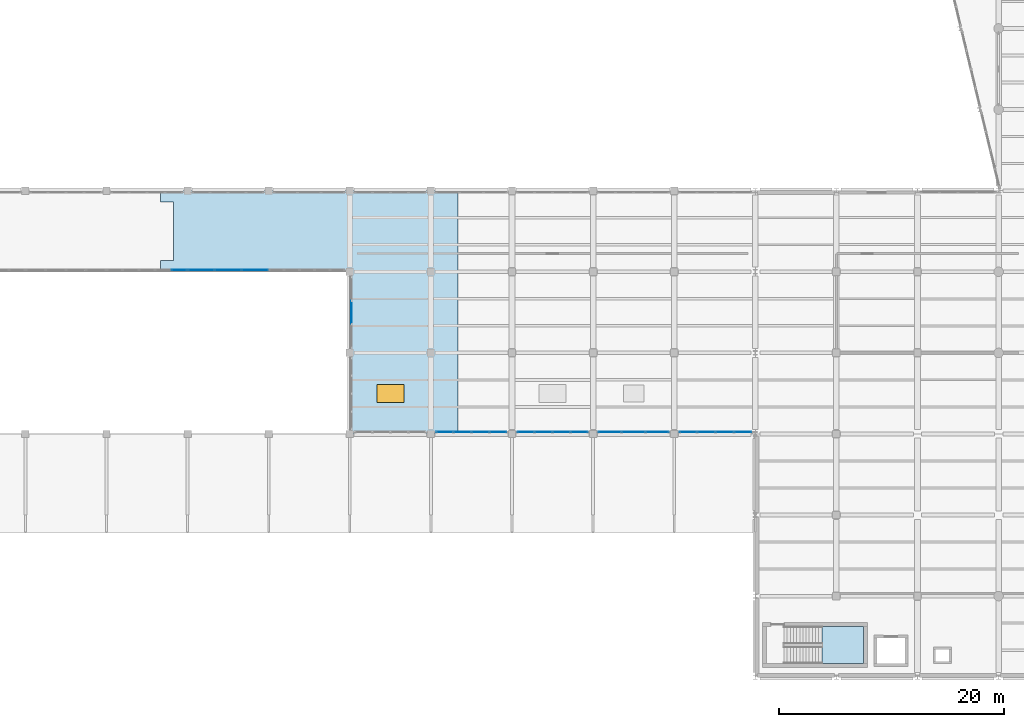
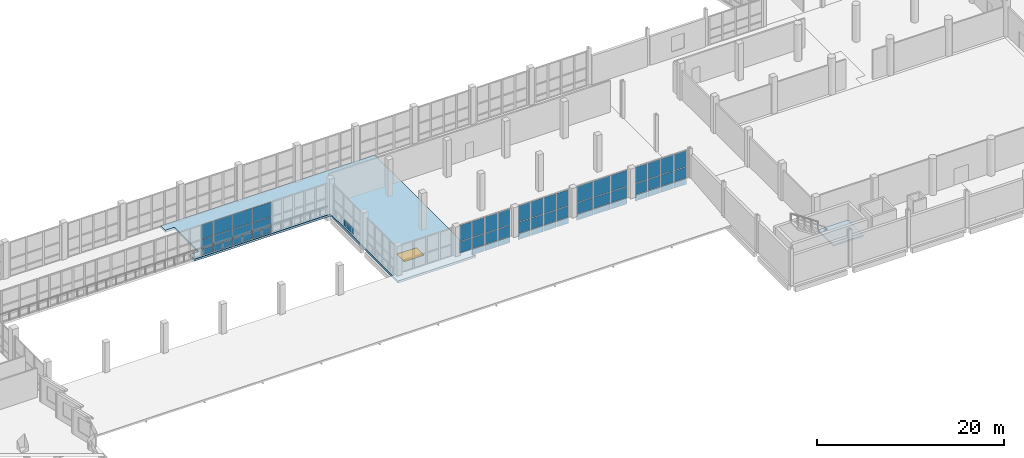
# One storey, part 80 of 127: 57 plates, 2 slabs, 1 window, 1 opening, 8 elements without a shape of their own.
"""IFC4 building model written with IfcOpenShell, lengths in metres."""

from ifc_helpers import new_model, si_unit, direction, frame, origin, origin_2d, place, context, subcontext, project, spatial, polyline, rectangle, outline, extrude, material, layer, layer_set, type_object, element, fill, aggregate, save


model = new_model("IFC4")

# Units and contexts
model_context = context("Model", 3, precision=1e-05, world=origin(), true_north=direction((0.0, 1.0)))
body_context = subcontext(model_context, "Body", "Model", "MODEL_VIEW")
ifc_project = project(units=[si_unit("LENGTHUNIT", "METRE"), si_unit("AREAUNIT", "SQUARE_METRE"), si_unit("VOLUMEUNIT", "CUBIC_METRE"), si_unit("PLANEANGLEUNIT", "RADIAN"), si_unit("MASSUNIT", "GRAM", prefix="KILO")], contexts=[model_context])

# Site, building, storey
site_placement = place(None, origin())
site = spatial("IfcSite", under=ifc_project, at=site_placement, CompositionType="ELEMENT")
building_placement = place(site_placement, origin())
building = spatial("IfcBuilding", under=site, at=building_placement, Name="Kalmorath City Hall", CompositionType="ELEMENT")
storey_placement = place(building_placement, frame((0.0, 0.0, 5.39990234375)))
storey = spatial("IfcBuildingStorey", under=building, at=storey_placement, Name="L01", CompositionType="ELEMENT", Elevation=5.39990234375)

# Slab, opening, window
ifc_material_1 = material(Name="Concrete C40/50", Category="concrete")
ifc_layer_1 = layer(ifc_material_1, 0.280029296875)
ifc_layer_set_1 = layer_set([ifc_layer_1], Name="Concrete C40/50")
slab_type_1 = type_object("IfcSlabType", Name="Concrete composite floor slab 280", PredefinedType="FLOOR", material=ifc_layer_set_1)
slab_1_placement = place(storey_placement, frame((0.0, 0.0, -0.27978515625)))
slab_1 = element("IfcSlab", 1, at=slab_1_placement, inside=storey, type_object=slab_type_1, Name="L01 Public Hall and Citizens Service Centre Pavilion slab FS2-2", PredefinedType="FLOOR", context=body_context, shape_type="SweptSolid", body=[
    extrude(outline(polyline([(88.800048828125, 21.60009765625), (79.199951171875, 21.60009765625), (79.199951171875, 36.0), (62.39990234375, 36.0), (62.39990234375, 37.0), (63.550048828125, 37.0), (63.550048828125, 42.199951171875), (62.39990234375, 42.199951171875), (62.39990234375, 43.199951171875), (88.800048828125, 43.199951171875), (88.800048828125, 21.60009765625)])), origin(), (0.0, 0.0, 1.0), 0.27978515625),
])
opening_placement = place(slab_1_placement, frame((82.800048828125, 25.199951171875, 0.0)))
opening = element("IfcOpeningElement", 2, at=opening_placement, cuts=slab_1, Name="Opening SK1", PredefinedType="OPENING", context=body_context, shape_type="SweptSolid", body=[
    extrude(rectangle(XDim=2.39990234375, YDim=1.60009765625, at=origin_2d()), origin(), (0.0, 0.0, 1.0), 0.27978515625),
])
ifc_material_2 = material(Name="Aluminium and laminated glass", Category="aluminium")
window_type = type_object("IfcWindowType", Name="Hurricane laminated roof skylight 2400x1600", PartitioningType="SINGLE_PANEL", PredefinedType="SKYLIGHT", material=ifc_material_2)
window_placement = place(opening_placement, frame((0.0, 0.0, 0.229736328125)))
window = element("IfcWindow", 3, at=window_placement, inside=storey, type_object=window_type, Name="L01 skylight SK1-1", OverallHeight=1.60009765625, OverallWidth=2.39990234375, PartitioningType="SINGLE_PANEL", PredefinedType="SKYLIGHT", context=body_context, shape_type="SweptSolid", body=[
    extrude(rectangle(XDim=2.39990234375, YDim=1.60009765625, at=origin_2d()), origin(), (0.0, 0.0, 1.0), 0.050048828125),
])
fill(opening, window)

# Stair, slab
ifc_material_3 = material(Name="Concrete C40/50", Category="concrete")
stair_type = type_object("IfcStairType", Name="Dogleg concrete exit stair 26R x 185mm W1550", PredefinedType="HALF_TURN_STAIR", material=ifc_material_3)
stair_placement = place(storey_placement, origin())
stair = element("IfcStair", 4, at=stair_placement, inside=storey, type_object=stair_type, Name="L01 Protected exit stair ST-5", PredefinedType="HALF_TURN_STAIR")
ifc_material_4 = material(Name="Concrete C40/50", Category="concrete")
ifc_layer_2 = layer(ifc_material_4, 0.199951171875)
ifc_layer_set_2 = layer_set([ifc_layer_2], Name="Concrete C40/50")
slab_type_2 = type_object("IfcSlabType", Name="Concrete stair half-landing slab 200", PredefinedType="LANDING", material=ifc_layer_set_2)
slab_2_placement = place(storey_placement, frame((0.0, 0.0, 2.2001953125)))
slab_2 = element("IfcSlab", 5, at=slab_2_placement, type_object=slab_type_2, Name="ST-5 landing 1", PredefinedType="LANDING", context=body_context, shape_type="SweptSolid", body=[
    extrude(outline(polyline([(121.110107421875, 1.199951171875), (124.800048828125, 1.199951171875), (124.800048828125, 4.5), (121.110107421875, 4.5), (121.110107421875, 1.199951171875)])), origin(), (0.0, 0.0, 1.0), 0.199951171875),
])
aggregate(stair, [slab_2])

# Curtain wall, plates
ifc_material_5 = material(Name="Anodised aluminium and laminated glass", Category="aluminium")
curtain_wall_type_1 = type_object("IfcCurtainWallType", Name="Unitised hurricane curtain wall 6508x4520 M1500", PredefinedType="NOTDEFINED", material=ifc_material_5)
curtain_wall_1_placement = place(storey_placement, origin())
curtain_wall_1 = element("IfcCurtainWall", 6, at=curtain_wall_1_placement, inside=storey, type_object=curtain_wall_type_1, Name="L01 curtain wall CW-65X45M15 #67", PredefinedType="NOTDEFINED")
ifc_material_6 = material(Name="Hurricane laminated low-E glass", Category="glass")
ifc_layer_3 = layer(ifc_material_6, 0.031982421875)
ifc_layer_set_3 = layer_set([ifc_layer_3], Name="Hurricane laminated low-E glass")
plate_type = type_object("IfcPlateType", Name="Hurricane impact double-glazed panel 32", PredefinedType="CURTAIN_PANEL", material=ifc_layer_set_3)
plate_1_placement = place(storey_placement, frame((114.0908203125, 21.760009765625, 0.065185546875), z_axis=(0.0, 0.0, 1.0), x_axis=(-1.0, 0.0, 0.0)))
plate_1 = element("IfcPlate", 7, at=plate_1_placement, type_object=plate_type, Name="CW-65X45M15 panel 1.1", PredefinedType="CURTAIN_PANEL", context=body_context, shape_type="SweptSolid", body=[
    extrude(rectangle(XDim=1.514404296875, YDim=0.031982421875, at=origin_2d()), origin(), (0.0, 0.0, 1.0), 0.75244140625),
])
plate_2_placement = place(storey_placement, frame((114.0908203125, 21.760009765625, 0.882568359375), z_axis=(0.0, 0.0, 1.0), x_axis=(-1.0, 0.0, 0.0)))
plate_2 = element("IfcPlate", 8, at=plate_2_placement, type_object=plate_type, Name="CW-65X45M15 panel 1.2", PredefinedType="CURTAIN_PANEL", context=body_context, shape_type="SweptSolid", body=[
    extrude(rectangle(XDim=1.514404296875, YDim=0.031982421875, at=origin_2d()), origin(), (0.0, 0.0, 1.0), 1.43505859375),
])
plate_3_placement = place(storey_placement, frame((114.0908203125, 21.760009765625, 2.3828125), z_axis=(0.0, 0.0, 1.0), x_axis=(-1.0, 0.0, 0.0)))
plate_3 = element("IfcPlate", 9, at=plate_3_placement, type_object=plate_type, Name="CW-65X45M15 panel 1.3", PredefinedType="CURTAIN_PANEL", context=body_context, shape_type="SweptSolid", body=[
    extrude(rectangle(XDim=1.514404296875, YDim=0.031982421875, at=origin_2d()), origin(), (0.0, 0.0, 1.0), 2.072509765625),
])
plate_4_placement = place(storey_placement, frame((112.482421875, 21.760009765625, 0.065185546875), z_axis=(0.0, 0.0, 1.0), x_axis=(-1.0, 0.0, 0.0)))
plate_4 = element("IfcPlate", 10, at=plate_4_placement, type_object=plate_type, Name="CW-65X45M15 panel 2.1", PredefinedType="CURTAIN_PANEL", context=body_context, shape_type="SweptSolid", body=[
    extrude(rectangle(XDim=1.552001953125, YDim=0.031982421875, at=origin_2d()), origin(), (0.0, 0.0, 1.0), 0.75244140625),
])
plate_5_placement = place(storey_placement, frame((112.482421875, 21.760009765625, 0.882568359375), z_axis=(0.0, 0.0, 1.0), x_axis=(-1.0, 0.0, 0.0)))
plate_5 = element("IfcPlate", 11, at=plate_5_placement, type_object=plate_type, Name="CW-65X45M15 panel 2.2", PredefinedType="CURTAIN_PANEL", context=body_context, shape_type="SweptSolid", body=[
    extrude(rectangle(XDim=1.552001953125, YDim=0.031982421875, at=origin_2d()), origin(), (0.0, 0.0, 1.0), 1.43505859375),
])
plate_6_placement = place(storey_placement, frame((112.482421875, 21.760009765625, 2.3828125), z_axis=(0.0, 0.0, 1.0), x_axis=(-1.0, 0.0, 0.0)))
plate_6 = element("IfcPlate", 12, at=plate_6_placement, type_object=plate_type, Name="CW-65X45M15 panel 2.3", PredefinedType="CURTAIN_PANEL", context=body_context, shape_type="SweptSolid", body=[
    extrude(rectangle(XDim=1.552001953125, YDim=0.031982421875, at=origin_2d()), origin(), (0.0, 0.0, 1.0), 2.072509765625),
])
plate_7_placement = place(storey_placement, frame((110.85546875, 21.760009765625, 0.065185546875), z_axis=(0.0, 0.0, 1.0), x_axis=(-1.0, 0.0, 0.0)))
plate_7 = element("IfcPlate", 13, at=plate_7_placement, type_object=plate_type, Name="CW-65X45M15 panel 3.1", PredefinedType="CURTAIN_PANEL", context=body_context, shape_type="SweptSolid", body=[
    extrude(rectangle(XDim=1.552001953125, YDim=0.031982421875, at=origin_2d()), origin(), (0.0, 0.0, 1.0), 0.75244140625),
])
plate_8_placement = place(storey_placement, frame((110.85546875, 21.760009765625, 0.882568359375), z_axis=(0.0, 0.0, 1.0), x_axis=(-1.0, 0.0, 0.0)))
plate_8 = element("IfcPlate", 14, at=plate_8_placement, type_object=plate_type, Name="CW-65X45M15 panel 3.2", PredefinedType="CURTAIN_PANEL", context=body_context, shape_type="SweptSolid", body=[
    extrude(rectangle(XDim=1.552001953125, YDim=0.031982421875, at=origin_2d()), origin(), (0.0, 0.0, 1.0), 1.43505859375),
])
plate_9_placement = place(storey_placement, frame((110.85546875, 21.760009765625, 2.3828125), z_axis=(0.0, 0.0, 1.0), x_axis=(-1.0, 0.0, 0.0)))
plate_9 = element("IfcPlate", 15, at=plate_9_placement, type_object=plate_type, Name="CW-65X45M15 panel 3.3", PredefinedType="CURTAIN_PANEL", context=body_context, shape_type="SweptSolid", body=[
    extrude(rectangle(XDim=1.552001953125, YDim=0.031982421875, at=origin_2d()), origin(), (0.0, 0.0, 1.0), 2.072509765625),
])
plate_10_placement = place(storey_placement, frame((109.247314453125, 21.760009765625, 0.065185546875), z_axis=(0.0, 0.0, 1.0), x_axis=(-1.0, 0.0, 0.0)))
plate_10 = element("IfcPlate", 16, at=plate_10_placement, type_object=plate_type, Name="CW-65X45M15 panel 4.1", PredefinedType="CURTAIN_PANEL", context=body_context, shape_type="SweptSolid", body=[
    extrude(rectangle(XDim=1.514404296875, YDim=0.031982421875, at=origin_2d()), origin(), (0.0, 0.0, 1.0), 0.75244140625),
])
plate_11_placement = place(storey_placement, frame((109.247314453125, 21.760009765625, 0.882568359375), z_axis=(0.0, 0.0, 1.0), x_axis=(-1.0, 0.0, 0.0)))
plate_11 = element("IfcPlate", 17, at=plate_11_placement, type_object=plate_type, Name="CW-65X45M15 panel 4.2", PredefinedType="CURTAIN_PANEL", context=body_context, shape_type="SweptSolid", body=[
    extrude(rectangle(XDim=1.514404296875, YDim=0.031982421875, at=origin_2d()), origin(), (0.0, 0.0, 1.0), 1.43505859375),
])
plate_12_placement = place(storey_placement, frame((109.247314453125, 21.760009765625, 2.3828125), z_axis=(0.0, 0.0, 1.0), x_axis=(-1.0, 0.0, 0.0)))
plate_12 = element("IfcPlate", 18, at=plate_12_placement, type_object=plate_type, Name="CW-65X45M15 panel 4.3", PredefinedType="CURTAIN_PANEL", context=body_context, shape_type="SweptSolid", body=[
    extrude(rectangle(XDim=1.514404296875, YDim=0.031982421875, at=origin_2d()), origin(), (0.0, 0.0, 1.0), 2.072509765625),
])
aggregate(curtain_wall_1, [plate_1, plate_2, plate_3, plate_4, plate_5, plate_6, plate_7, plate_8, plate_9, plate_10, plate_11, plate_12])

ifc_material_7 = material(Name="Anodised aluminium and laminated glass", Category="aluminium")
curtain_wall_type_2 = type_object("IfcCurtainWallType", Name="Unitised hurricane curtain wall 6370x4520 M2100", PredefinedType="NOTDEFINED", material=ifc_material_7)
curtain_wall_2_placement = place(storey_placement, origin())
curtain_wall_2 = element("IfcCurtainWall", 19, at=curtain_wall_2_placement, inside=storey, type_object=curtain_wall_type_2, Name="L01 curtain wall CW-64X45M21 #68", PredefinedType="NOTDEFINED")
plate_13_placement = place(storey_placement, frame((106.504638671875, 21.760009765625, 0.065185546875), z_axis=(0.0, 0.0, 1.0), x_axis=(-1.0, 0.0, 0.0)))
plate_13 = element("IfcPlate", 20, at=plate_13_placement, type_object=plate_type, Name="CW-64X45M21 panel 1.1", PredefinedType="CURTAIN_PANEL", context=body_context, shape_type="SweptSolid", body=[
    extrude(rectangle(XDim=2.0107421875, YDim=0.031982421875, at=origin_2d()), origin(), (0.0, 0.0, 1.0), 0.75244140625),
])
plate_14_placement = place(storey_placement, frame((106.504638671875, 21.760009765625, 0.882568359375), z_axis=(0.0, 0.0, 1.0), x_axis=(-1.0, 0.0, 0.0)))
plate_14 = element("IfcPlate", 21, at=plate_14_placement, type_object=plate_type, Name="CW-64X45M21 panel 1.2", PredefinedType="CURTAIN_PANEL", context=body_context, shape_type="SweptSolid", body=[
    extrude(rectangle(XDim=2.0107421875, YDim=0.031982421875, at=origin_2d()), origin(), (0.0, 0.0, 1.0), 1.43505859375),
])
plate_15_placement = place(storey_placement, frame((106.504638671875, 21.760009765625, 2.3828125), z_axis=(0.0, 0.0, 1.0), x_axis=(-1.0, 0.0, 0.0)))
plate_15 = element("IfcPlate", 22, at=plate_15_placement, type_object=plate_type, Name="CW-64X45M21 panel 1.3", PredefinedType="CURTAIN_PANEL", context=body_context, shape_type="SweptSolid", body=[
    extrude(rectangle(XDim=2.0107421875, YDim=0.031982421875, at=origin_2d()), origin(), (0.0, 0.0, 1.0), 2.072509765625),
])
plate_16_placement = place(storey_placement, frame((104.39990234375, 21.760009765625, 0.065185546875), z_axis=(0.0, 0.0, 1.0), x_axis=(-1.0, 0.0, 0.0)))
plate_16 = element("IfcPlate", 23, at=plate_16_placement, type_object=plate_type, Name="CW-64X45M21 panel 2.1", PredefinedType="CURTAIN_PANEL", context=body_context, shape_type="SweptSolid", body=[
    extrude(rectangle(XDim=2.04833984375, YDim=0.031982421875, at=origin_2d()), origin(), (0.0, 0.0, 1.0), 0.75244140625),
])
plate_17_placement = place(storey_placement, frame((104.39990234375, 21.760009765625, 0.882568359375), z_axis=(0.0, 0.0, 1.0), x_axis=(-1.0, 0.0, 0.0)))
plate_17 = element("IfcPlate", 24, at=plate_17_placement, type_object=plate_type, Name="CW-64X45M21 panel 2.2", PredefinedType="CURTAIN_PANEL", context=body_context, shape_type="SweptSolid", body=[
    extrude(rectangle(XDim=2.04833984375, YDim=0.031982421875, at=origin_2d()), origin(), (0.0, 0.0, 1.0), 1.43505859375),
])
plate_18_placement = place(storey_placement, frame((104.39990234375, 21.760009765625, 2.3828125), z_axis=(0.0, 0.0, 1.0), x_axis=(-1.0, 0.0, 0.0)))
plate_18 = element("IfcPlate", 25, at=plate_18_placement, type_object=plate_type, Name="CW-64X45M21 panel 2.3", PredefinedType="CURTAIN_PANEL", context=body_context, shape_type="SweptSolid", body=[
    extrude(rectangle(XDim=2.04833984375, YDim=0.031982421875, at=origin_2d()), origin(), (0.0, 0.0, 1.0), 2.072509765625),
])
plate_19_placement = place(storey_placement, frame((102.29541015625, 21.760009765625, 0.065185546875), z_axis=(0.0, 0.0, 1.0), x_axis=(-1.0, 0.0, 0.0)))
plate_19 = element("IfcPlate", 26, at=plate_19_placement, type_object=plate_type, Name="CW-64X45M21 panel 3.1", PredefinedType="CURTAIN_PANEL", context=body_context, shape_type="SweptSolid", body=[
    extrude(rectangle(XDim=2.0107421875, YDim=0.031982421875, at=origin_2d()), origin(), (0.0, 0.0, 1.0), 0.75244140625),
])
plate_20_placement = place(storey_placement, frame((102.29541015625, 21.760009765625, 0.882568359375), z_axis=(0.0, 0.0, 1.0), x_axis=(-1.0, 0.0, 0.0)))
plate_20 = element("IfcPlate", 27, at=plate_20_placement, type_object=plate_type, Name="CW-64X45M21 panel 3.2", PredefinedType="CURTAIN_PANEL", context=body_context, shape_type="SweptSolid", body=[
    extrude(rectangle(XDim=2.0107421875, YDim=0.031982421875, at=origin_2d()), origin(), (0.0, 0.0, 1.0), 1.43505859375),
])
plate_21_placement = place(storey_placement, frame((102.29541015625, 21.760009765625, 2.3828125), z_axis=(0.0, 0.0, 1.0), x_axis=(-1.0, 0.0, 0.0)))
plate_21 = element("IfcPlate", 28, at=plate_21_placement, type_object=plate_type, Name="CW-64X45M21 panel 3.3", PredefinedType="CURTAIN_PANEL", context=body_context, shape_type="SweptSolid", body=[
    extrude(rectangle(XDim=2.0107421875, YDim=0.031982421875, at=origin_2d()), origin(), (0.0, 0.0, 1.0), 2.072509765625),
])
aggregate(curtain_wall_2, [plate_13, plate_14, plate_15, plate_16, plate_17, plate_18, plate_19, plate_20, plate_21])

ifc_material_8 = material(Name="Anodised aluminium and laminated glass", Category="aluminium")
curtain_wall_type_3 = type_object("IfcCurtainWallType", Name="Unitised hurricane curtain wall 6370x4520 M1500", PredefinedType="NOTDEFINED", material=ifc_material_8)
curtain_wall_3_placement = place(storey_placement, origin())
curtain_wall_3 = element("IfcCurtainWall", 29, at=curtain_wall_3_placement, inside=storey, type_object=curtain_wall_type_3, Name="L01 curtain wall CW-64X45M15 #69", PredefinedType="NOTDEFINED")
plate_22_placement = place(storey_placement, frame((99.570068359375, 21.760009765625, 0.065185546875), z_axis=(0.0, 0.0, 1.0), x_axis=(-1.0, 0.0, 0.0)))
plate_22 = element("IfcPlate", 30, at=plate_22_placement, type_object=plate_type, Name="CW-64X45M15 panel 1.1", PredefinedType="CURTAIN_PANEL", context=body_context, shape_type="SweptSolid", body=[
    extrude(rectangle(XDim=1.47998046875, YDim=0.031982421875, at=origin_2d()), origin(), (0.0, 0.0, 1.0), 0.75244140625),
])
plate_23_placement = place(storey_placement, frame((99.570068359375, 21.760009765625, 0.882568359375), z_axis=(0.0, 0.0, 1.0), x_axis=(-1.0, 0.0, 0.0)))
plate_23 = element("IfcPlate", 31, at=plate_23_placement, type_object=plate_type, Name="CW-64X45M15 panel 1.2", PredefinedType="CURTAIN_PANEL", context=body_context, shape_type="SweptSolid", body=[
    extrude(rectangle(XDim=1.47998046875, YDim=0.031982421875, at=origin_2d()), origin(), (0.0, 0.0, 1.0), 1.43505859375),
])
plate_24_placement = place(storey_placement, frame((99.570068359375, 21.760009765625, 2.3828125), z_axis=(0.0, 0.0, 1.0), x_axis=(-1.0, 0.0, 0.0)))
plate_24 = element("IfcPlate", 32, at=plate_24_placement, type_object=plate_type, Name="CW-64X45M15 panel 1.3", PredefinedType="CURTAIN_PANEL", context=body_context, shape_type="SweptSolid", body=[
    extrude(rectangle(XDim=1.47998046875, YDim=0.031982421875, at=origin_2d()), origin(), (0.0, 0.0, 1.0), 2.072509765625),
])
plate_25_placement = place(storey_placement, frame((97.996337890625, 21.760009765625, 0.065185546875), z_axis=(0.0, 0.0, 1.0), x_axis=(-1.0, 0.0, 0.0)))
plate_25 = element("IfcPlate", 33, at=plate_25_placement, type_object=plate_type, Name="CW-64X45M15 panel 2.1", PredefinedType="CURTAIN_PANEL", context=body_context, shape_type="SweptSolid", body=[
    extrude(rectangle(XDim=1.517578125, YDim=0.031982421875, at=origin_2d()), origin(), (0.0, 0.0, 1.0), 0.75244140625),
])
plate_26_placement = place(storey_placement, frame((97.996337890625, 21.760009765625, 0.882568359375), z_axis=(0.0, 0.0, 1.0), x_axis=(-1.0, 0.0, 0.0)))
plate_26 = element("IfcPlate", 34, at=plate_26_placement, type_object=plate_type, Name="CW-64X45M15 panel 2.2", PredefinedType="CURTAIN_PANEL", context=body_context, shape_type="SweptSolid", body=[
    extrude(rectangle(XDim=1.517578125, YDim=0.031982421875, at=origin_2d()), origin(), (0.0, 0.0, 1.0), 1.43505859375),
])
plate_27_placement = place(storey_placement, frame((97.996337890625, 21.760009765625, 2.3828125), z_axis=(0.0, 0.0, 1.0), x_axis=(-1.0, 0.0, 0.0)))
plate_27 = element("IfcPlate", 35, at=plate_27_placement, type_object=plate_type, Name="CW-64X45M15 panel 2.3", PredefinedType="CURTAIN_PANEL", context=body_context, shape_type="SweptSolid", body=[
    extrude(rectangle(XDim=1.517578125, YDim=0.031982421875, at=origin_2d()), origin(), (0.0, 0.0, 1.0), 2.072509765625),
])
plate_28_placement = place(storey_placement, frame((96.40380859375, 21.760009765625, 0.065185546875), z_axis=(0.0, 0.0, 1.0), x_axis=(-1.0, 0.0, 0.0)))
plate_28 = element("IfcPlate", 36, at=plate_28_placement, type_object=plate_type, Name="CW-64X45M15 panel 3.1", PredefinedType="CURTAIN_PANEL", context=body_context, shape_type="SweptSolid", body=[
    extrude(rectangle(XDim=1.517578125, YDim=0.031982421875, at=origin_2d()), origin(), (0.0, 0.0, 1.0), 0.75244140625),
])
plate_29_placement = place(storey_placement, frame((96.40380859375, 21.760009765625, 0.882568359375), z_axis=(0.0, 0.0, 1.0), x_axis=(-1.0, 0.0, 0.0)))
plate_29 = element("IfcPlate", 37, at=plate_29_placement, type_object=plate_type, Name="CW-64X45M15 panel 3.2", PredefinedType="CURTAIN_PANEL", context=body_context, shape_type="SweptSolid", body=[
    extrude(rectangle(XDim=1.517578125, YDim=0.031982421875, at=origin_2d()), origin(), (0.0, 0.0, 1.0), 1.43505859375),
])
plate_30_placement = place(storey_placement, frame((96.40380859375, 21.760009765625, 2.3828125), z_axis=(0.0, 0.0, 1.0), x_axis=(-1.0, 0.0, 0.0)))
plate_30 = element("IfcPlate", 38, at=plate_30_placement, type_object=plate_type, Name="CW-64X45M15 panel 3.3", PredefinedType="CURTAIN_PANEL", context=body_context, shape_type="SweptSolid", body=[
    extrude(rectangle(XDim=1.517578125, YDim=0.031982421875, at=origin_2d()), origin(), (0.0, 0.0, 1.0), 2.072509765625),
])
plate_31_placement = place(storey_placement, frame((94.830078125, 21.760009765625, 0.065185546875), z_axis=(0.0, 0.0, 1.0), x_axis=(-1.0, 0.0, 0.0)))
plate_31 = element("IfcPlate", 39, at=plate_31_placement, type_object=plate_type, Name="CW-64X45M15 panel 4.1", PredefinedType="CURTAIN_PANEL", context=body_context, shape_type="SweptSolid", body=[
    extrude(rectangle(XDim=1.47998046875, YDim=0.031982421875, at=origin_2d()), origin(), (0.0, 0.0, 1.0), 0.75244140625),
])
plate_32_placement = place(storey_placement, frame((94.830078125, 21.760009765625, 0.882568359375), z_axis=(0.0, 0.0, 1.0), x_axis=(-1.0, 0.0, 0.0)))
plate_32 = element("IfcPlate", 40, at=plate_32_placement, type_object=plate_type, Name="CW-64X45M15 panel 4.2", PredefinedType="CURTAIN_PANEL", context=body_context, shape_type="SweptSolid", body=[
    extrude(rectangle(XDim=1.47998046875, YDim=0.031982421875, at=origin_2d()), origin(), (0.0, 0.0, 1.0), 1.43505859375),
])
plate_33_placement = place(storey_placement, frame((94.830078125, 21.760009765625, 2.3828125), z_axis=(0.0, 0.0, 1.0), x_axis=(-1.0, 0.0, 0.0)))
plate_33 = element("IfcPlate", 41, at=plate_33_placement, type_object=plate_type, Name="CW-64X45M15 panel 4.3", PredefinedType="CURTAIN_PANEL", context=body_context, shape_type="SweptSolid", body=[
    extrude(rectangle(XDim=1.47998046875, YDim=0.031982421875, at=origin_2d()), origin(), (0.0, 0.0, 1.0), 2.072509765625),
])
aggregate(curtain_wall_3, [plate_22, plate_23, plate_24, plate_25, plate_26, plate_27, plate_28, plate_29, plate_30, plate_31, plate_32, plate_33])

ifc_material_9 = material(Name="Anodised aluminium and laminated glass", Category="aluminium")
curtain_wall_type_4 = type_object("IfcCurtainWallType", Name="Unitised hurricane curtain wall 6370x4520 M1800", PredefinedType="NOTDEFINED", material=ifc_material_9)
curtain_wall_4_placement = place(storey_placement, origin())
curtain_wall_4 = element("IfcCurtainWall", 42, at=curtain_wall_4_placement, inside=storey, type_object=curtain_wall_type_4, Name="L01 curtain wall CW-64X45M18 #70", PredefinedType="NOTDEFINED")
plate_34_placement = place(storey_placement, frame((92.3701171875, 21.760009765625, 0.065185546875), z_axis=(0.0, 0.0, 1.0), x_axis=(-1.0, 0.0, 0.0)))
plate_34 = element("IfcPlate", 43, at=plate_34_placement, type_object=plate_type, Name="CW-64X45M18 panel 1.1", PredefinedType="CURTAIN_PANEL", context=body_context, shape_type="SweptSolid", body=[
    extrude(rectangle(XDim=1.47998046875, YDim=0.031982421875, at=origin_2d()), origin(), (0.0, 0.0, 1.0), 0.75244140625),
])
plate_35_placement = place(storey_placement, frame((92.3701171875, 21.760009765625, 0.882568359375), z_axis=(0.0, 0.0, 1.0), x_axis=(-1.0, 0.0, 0.0)))
plate_35 = element("IfcPlate", 44, at=plate_35_placement, type_object=plate_type, Name="CW-64X45M18 panel 1.2", PredefinedType="CURTAIN_PANEL", context=body_context, shape_type="SweptSolid", body=[
    extrude(rectangle(XDim=1.47998046875, YDim=0.031982421875, at=origin_2d()), origin(), (0.0, 0.0, 1.0), 1.43505859375),
])
plate_36_placement = place(storey_placement, frame((92.3701171875, 21.760009765625, 2.3828125), z_axis=(0.0, 0.0, 1.0), x_axis=(-1.0, 0.0, 0.0)))
plate_36 = element("IfcPlate", 45, at=plate_36_placement, type_object=plate_type, Name="CW-64X45M18 panel 1.3", PredefinedType="CURTAIN_PANEL", context=body_context, shape_type="SweptSolid", body=[
    extrude(rectangle(XDim=1.47998046875, YDim=0.031982421875, at=origin_2d()), origin(), (0.0, 0.0, 1.0), 2.072509765625),
])
plate_37_placement = place(storey_placement, frame((90.796142578125, 21.760009765625, 0.065185546875), z_axis=(0.0, 0.0, 1.0), x_axis=(-1.0, 0.0, 0.0)))
plate_37 = element("IfcPlate", 46, at=plate_37_placement, type_object=plate_type, Name="CW-64X45M18 panel 2.1", PredefinedType="CURTAIN_PANEL", context=body_context, shape_type="SweptSolid", body=[
    extrude(rectangle(XDim=1.517578125, YDim=0.031982421875, at=origin_2d()), origin(), (0.0, 0.0, 1.0), 0.75244140625),
])
plate_38_placement = place(storey_placement, frame((90.796142578125, 21.760009765625, 0.882568359375), z_axis=(0.0, 0.0, 1.0), x_axis=(-1.0, 0.0, 0.0)))
plate_38 = element("IfcPlate", 47, at=plate_38_placement, type_object=plate_type, Name="CW-64X45M18 panel 2.2", PredefinedType="CURTAIN_PANEL", context=body_context, shape_type="SweptSolid", body=[
    extrude(rectangle(XDim=1.517578125, YDim=0.031982421875, at=origin_2d()), origin(), (0.0, 0.0, 1.0), 1.43505859375),
])
plate_39_placement = place(storey_placement, frame((90.796142578125, 21.760009765625, 2.3828125), z_axis=(0.0, 0.0, 1.0), x_axis=(-1.0, 0.0, 0.0)))
plate_39 = element("IfcPlate", 48, at=plate_39_placement, type_object=plate_type, Name="CW-64X45M18 panel 2.3", PredefinedType="CURTAIN_PANEL", context=body_context, shape_type="SweptSolid", body=[
    extrude(rectangle(XDim=1.517578125, YDim=0.031982421875, at=origin_2d()), origin(), (0.0, 0.0, 1.0), 2.072509765625),
])
plate_40_placement = place(storey_placement, frame((89.203857421875, 21.760009765625, 0.065185546875), z_axis=(0.0, 0.0, 1.0), x_axis=(-1.0, 0.0, 0.0)))
plate_40 = element("IfcPlate", 49, at=plate_40_placement, type_object=plate_type, Name="CW-64X45M18 panel 3.1", PredefinedType="CURTAIN_PANEL", context=body_context, shape_type="SweptSolid", body=[
    extrude(rectangle(XDim=1.517578125, YDim=0.031982421875, at=origin_2d()), origin(), (0.0, 0.0, 1.0), 0.75244140625),
])
plate_41_placement = place(storey_placement, frame((89.203857421875, 21.760009765625, 0.882568359375), z_axis=(0.0, 0.0, 1.0), x_axis=(-1.0, 0.0, 0.0)))
plate_41 = element("IfcPlate", 50, at=plate_41_placement, type_object=plate_type, Name="CW-64X45M18 panel 3.2", PredefinedType="CURTAIN_PANEL", context=body_context, shape_type="SweptSolid", body=[
    extrude(rectangle(XDim=1.517578125, YDim=0.031982421875, at=origin_2d()), origin(), (0.0, 0.0, 1.0), 1.43505859375),
])
plate_42_placement = place(storey_placement, frame((89.203857421875, 21.760009765625, 2.3828125), z_axis=(0.0, 0.0, 1.0), x_axis=(-1.0, 0.0, 0.0)))
plate_42 = element("IfcPlate", 51, at=plate_42_placement, type_object=plate_type, Name="CW-64X45M18 panel 3.3", PredefinedType="CURTAIN_PANEL", context=body_context, shape_type="SweptSolid", body=[
    extrude(rectangle(XDim=1.517578125, YDim=0.031982421875, at=origin_2d()), origin(), (0.0, 0.0, 1.0), 2.072509765625),
])
plate_43_placement = place(storey_placement, frame((87.6298828125, 21.760009765625, 0.882568359375), z_axis=(0.0, 0.0, 1.0), x_axis=(-1.0, 0.0, 0.0)))
plate_43 = element("IfcPlate", 52, at=plate_43_placement, type_object=plate_type, Name="CW-64X45M18 panel 4.2", PredefinedType="CURTAIN_PANEL", context=body_context, shape_type="SweptSolid", body=[
    extrude(rectangle(XDim=1.47998046875, YDim=0.031982421875, at=origin_2d()), origin(), (0.0, 0.0, 1.0), 1.43505859375),
])
plate_44_placement = place(storey_placement, frame((87.6298828125, 21.760009765625, 2.3828125), z_axis=(0.0, 0.0, 1.0), x_axis=(-1.0, 0.0, 0.0)))
plate_44 = element("IfcPlate", 53, at=plate_44_placement, type_object=plate_type, Name="CW-64X45M18 panel 4.3", PredefinedType="CURTAIN_PANEL", context=body_context, shape_type="SweptSolid", body=[
    extrude(rectangle(XDim=1.47998046875, YDim=0.031982421875, at=origin_2d()), origin(), (0.0, 0.0, 1.0), 2.072509765625),
])
aggregate(curtain_wall_4, [plate_34, plate_35, plate_36, plate_37, plate_38, plate_39, plate_40, plate_41, plate_42, plate_43, plate_44])

# Curtain wall, plate
ifc_material_10 = material(Name="Anodised aluminium and laminated glass", Category="aluminium")
curtain_wall_type_5 = type_object("IfcCurtainWallType", Name="Unitised hurricane curtain wall 6370x4090 M2100", PredefinedType="NOTDEFINED", material=ifc_material_10)
curtain_wall_5_placement = place(storey_placement, origin())
curtain_wall_5 = element("IfcCurtainWall", 54, at=curtain_wall_5_placement, inside=storey, type_object=curtain_wall_type_5, Name="L01 curtain wall CW-64X41M21 #73", PredefinedType="NOTDEFINED")
plate_45_placement = place(storey_placement, frame((79.360107421875, 32.39990234375, 0.065185546875), z_axis=(0.0, 0.0, 1.0), x_axis=(0.0, 1.0, 0.0)))
plate_45 = element("IfcPlate", 55, at=plate_45_placement, type_object=plate_type, Name="CW-64X41M21 panel 2.1", PredefinedType="CURTAIN_PANEL", context=body_context, shape_type="SweptSolid", body=[
    extrude(rectangle(XDim=2.04833984375, YDim=0.031982421875, at=origin_2d()), origin(), (0.0, 0.0, 1.0), 0.75244140625),
])
aggregate(curtain_wall_5, [plate_45])

# Curtain wall, plates
ifc_material_11 = material(Name="Anodised aluminium and laminated glass", Category="aluminium")
curtain_wall_type_6 = type_object("IfcCurtainWallType", Name="Unitised hurricane curtain wall 7200x4090 M2100", PredefinedType="NOTDEFINED", material=ifc_material_11)
curtain_wall_6_placement = place(storey_placement, origin())
curtain_wall_6 = element("IfcCurtainWall", 56, at=curtain_wall_6_placement, inside=storey, type_object=curtain_wall_type_6, Name="L01 curtain wall CW-72X41M21 #75", PredefinedType="NOTDEFINED")
plate_46_placement = place(storey_placement, frame((70.78125, 36.159912109375, 0.065185546875), z_axis=(0.0, 0.0, 1.0), x_axis=(-1.0, 0.0, 0.0)))
plate_46 = element("IfcPlate", 57, at=plate_46_placement, type_object=plate_type, Name="CW-72X41M21 panel 1.1", PredefinedType="CURTAIN_PANEL", context=body_context, shape_type="SweptSolid", body=[
    extrude(rectangle(XDim=2.28759765625, YDim=0.031982421875, at=origin_2d()), origin(), (0.0, 0.0, 1.0), 0.75244140625),
])
plate_47_placement = place(storey_placement, frame((70.78125, 36.159912109375, 0.882568359375), z_axis=(0.0, 0.0, 1.0), x_axis=(-1.0, 0.0, 0.0)))
plate_47 = element("IfcPlate", 58, at=plate_47_placement, type_object=plate_type, Name="CW-72X41M21 panel 1.2", PredefinedType="CURTAIN_PANEL", context=body_context, shape_type="SweptSolid", body=[
    extrude(rectangle(XDim=2.28759765625, YDim=0.031982421875, at=origin_2d()), origin(), (0.0, 0.0, 1.0), 1.2119140625),
])
plate_48_placement = place(storey_placement, frame((70.78125, 36.159912109375, 2.15966796875), z_axis=(0.0, 0.0, 1.0), x_axis=(-1.0, 0.0, 0.0)))
plate_48 = element("IfcPlate", 59, at=plate_48_placement, type_object=plate_type, Name="CW-72X41M21 panel 1.3", PredefinedType="CURTAIN_PANEL", context=body_context, shape_type="SweptSolid", body=[
    extrude(rectangle(XDim=2.28759765625, YDim=0.031982421875, at=origin_2d()), origin(), (0.0, 0.0, 1.0), 1.865478515625),
])
plate_49_placement = place(storey_placement, frame((68.39990234375, 36.159912109375, 0.065185546875), z_axis=(0.0, 0.0, 1.0), x_axis=(-1.0, 0.0, 0.0)))
plate_49 = element("IfcPlate", 60, at=plate_49_placement, type_object=plate_type, Name="CW-72X41M21 panel 2.1", PredefinedType="CURTAIN_PANEL", context=body_context, shape_type="SweptSolid", body=[
    extrude(rectangle(XDim=2.324951171875, YDim=0.031982421875, at=origin_2d()), origin(), (0.0, 0.0, 1.0), 0.75244140625),
])
plate_50_placement = place(storey_placement, frame((68.39990234375, 36.159912109375, 0.882568359375), z_axis=(0.0, 0.0, 1.0), x_axis=(-1.0, 0.0, 0.0)))
plate_50 = element("IfcPlate", 61, at=plate_50_placement, type_object=plate_type, Name="CW-72X41M21 panel 2.2", PredefinedType="CURTAIN_PANEL", context=body_context, shape_type="SweptSolid", body=[
    extrude(rectangle(XDim=2.324951171875, YDim=0.031982421875, at=origin_2d()), origin(), (0.0, 0.0, 1.0), 1.2119140625),
])
plate_51_placement = place(storey_placement, frame((68.39990234375, 36.159912109375, 2.15966796875), z_axis=(0.0, 0.0, 1.0), x_axis=(-1.0, 0.0, 0.0)))
plate_51 = element("IfcPlate", 62, at=plate_51_placement, type_object=plate_type, Name="CW-72X41M21 panel 2.3", PredefinedType="CURTAIN_PANEL", context=body_context, shape_type="SweptSolid", body=[
    extrude(rectangle(XDim=2.324951171875, YDim=0.031982421875, at=origin_2d()), origin(), (0.0, 0.0, 1.0), 1.865478515625),
])
plate_52_placement = place(storey_placement, frame((66.018798828125, 36.159912109375, 0.065185546875), z_axis=(0.0, 0.0, 1.0), x_axis=(-1.0, 0.0, 0.0)))
plate_52 = element("IfcPlate", 63, at=plate_52_placement, type_object=plate_type, Name="CW-72X41M21 panel 3.1", PredefinedType="CURTAIN_PANEL", context=body_context, shape_type="SweptSolid", body=[
    extrude(rectangle(XDim=2.28759765625, YDim=0.031982421875, at=origin_2d()), origin(), (0.0, 0.0, 1.0), 0.75244140625),
])
plate_53_placement = place(storey_placement, frame((66.018798828125, 36.159912109375, 0.882568359375), z_axis=(0.0, 0.0, 1.0), x_axis=(-1.0, 0.0, 0.0)))
plate_53 = element("IfcPlate", 64, at=plate_53_placement, type_object=plate_type, Name="CW-72X41M21 panel 3.2", PredefinedType="CURTAIN_PANEL", context=body_context, shape_type="SweptSolid", body=[
    extrude(rectangle(XDim=2.28759765625, YDim=0.031982421875, at=origin_2d()), origin(), (0.0, 0.0, 1.0), 1.2119140625),
])
plate_54_placement = place(storey_placement, frame((66.018798828125, 36.159912109375, 2.15966796875), z_axis=(0.0, 0.0, 1.0), x_axis=(-1.0, 0.0, 0.0)))
plate_54 = element("IfcPlate", 65, at=plate_54_placement, type_object=plate_type, Name="CW-72X41M21 panel 3.3", PredefinedType="CURTAIN_PANEL", context=body_context, shape_type="SweptSolid", body=[
    extrude(rectangle(XDim=2.28759765625, YDim=0.031982421875, at=origin_2d()), origin(), (0.0, 0.0, 1.0), 1.865478515625),
])
aggregate(curtain_wall_6, [plate_46, plate_47, plate_48, plate_49, plate_50, plate_51, plate_52, plate_53, plate_54])

ifc_material_12 = material(Name="Anodised aluminium and laminated glass", Category="aluminium")
curtain_wall_type_7 = type_object("IfcCurtainWallType", Name="Unitised hurricane curtain wall 7200x4090 M1500", PredefinedType="NOTDEFINED", material=ifc_material_12)
curtain_wall_7_placement = place(storey_placement, origin())
curtain_wall_7 = element("IfcCurtainWall", 66, at=curtain_wall_7_placement, inside=storey, type_object=curtain_wall_type_7, Name="L01 curtain wall CW-72X41M15 #76", PredefinedType="NOTDEFINED")
plate_55_placement = place(storey_placement, frame((64.061279296875, 36.159912109375, 0.065185546875), z_axis=(0.0, 0.0, 1.0), x_axis=(-1.0, 0.0, 0.0)))
plate_55 = element("IfcPlate", 67, at=plate_55_placement, type_object=plate_type, Name="CW-72X41M15 panel 1.1", PredefinedType="CURTAIN_PANEL", context=body_context, shape_type="SweptSolid", body=[
    extrude(rectangle(XDim=1.327392578125, YDim=0.031982421875, at=origin_2d()), origin(), (0.0, 0.0, 1.0), 0.75244140625),
])
plate_56_placement = place(storey_placement, frame((64.061279296875, 36.159912109375, 0.882568359375), z_axis=(0.0, 0.0, 1.0), x_axis=(-1.0, 0.0, 0.0)))
plate_56 = element("IfcPlate", 68, at=plate_56_placement, type_object=plate_type, Name="CW-72X41M15 panel 1.2", PredefinedType="CURTAIN_PANEL", context=body_context, shape_type="SweptSolid", body=[
    extrude(rectangle(XDim=1.327392578125, YDim=0.031982421875, at=origin_2d()), origin(), (0.0, 0.0, 1.0), 1.2119140625),
])
plate_57_placement = place(storey_placement, frame((64.061279296875, 36.159912109375, 2.15966796875), z_axis=(0.0, 0.0, 1.0), x_axis=(-1.0, 0.0, 0.0)))
plate_57 = element("IfcPlate", 69, at=plate_57_placement, type_object=plate_type, Name="CW-72X41M15 panel 1.3", PredefinedType="CURTAIN_PANEL", context=body_context, shape_type="SweptSolid", body=[
    extrude(rectangle(XDim=1.327392578125, YDim=0.031982421875, at=origin_2d()), origin(), (0.0, 0.0, 1.0), 1.865478515625),
])
aggregate(curtain_wall_7, [plate_55, plate_56, plate_57])

save(model, "model.ifc")
